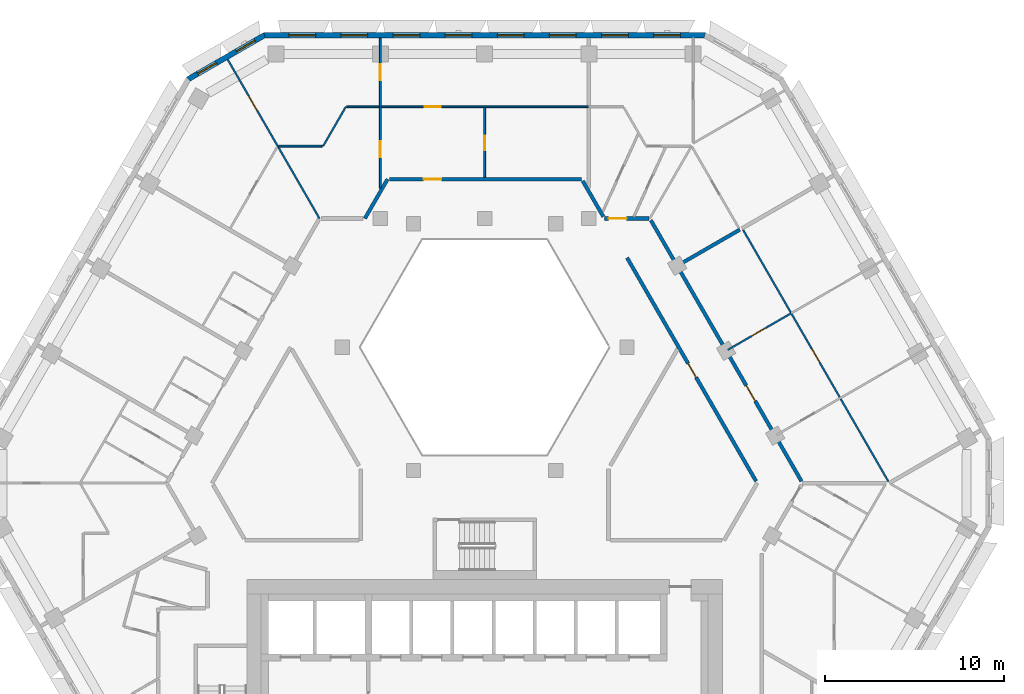
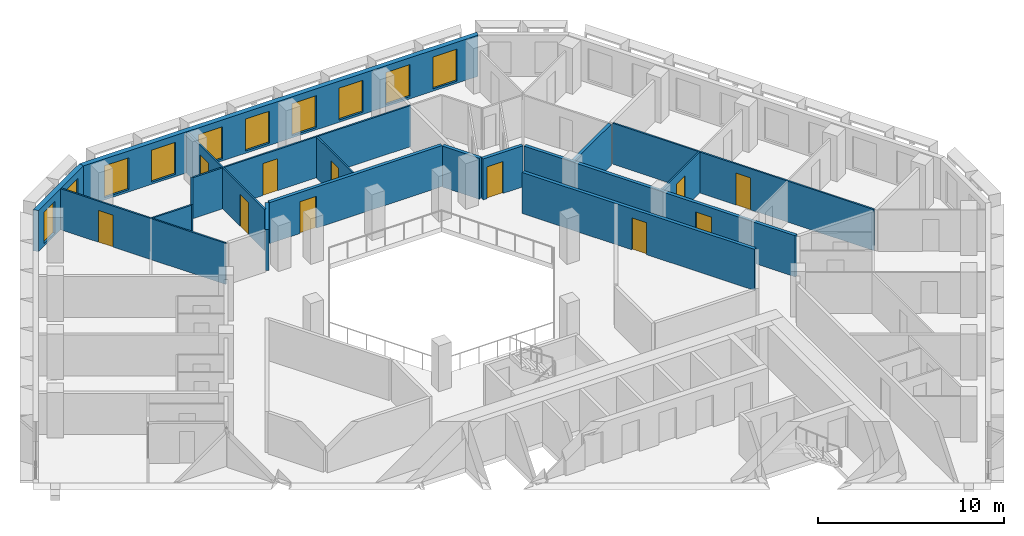
# One storey, part 8 of 17: 18 walls, 11 doors, 10 windows, 21 openings.
"""IFC4 building model written with IfcOpenShell, lengths in metres."""

from ifc_helpers import new_model, si_unit, direction, frame, frame_2d, origin, place, context, subcontext, project, spatial, polyline, rectangle, outline, extrude, material, layer, layer_set, type_object, element, fill, save


model = new_model("IFC4")

# Units and contexts
model_context = context("Model", 3, precision=1e-05, world=origin(), true_north=direction((0.0, 1.0)))
body_context = subcontext(model_context, "Body", "Model", "MODEL_VIEW")
ifc_project = project(units=[si_unit("LENGTHUNIT", "METRE"), si_unit("AREAUNIT", "SQUARE_METRE"), si_unit("VOLUMEUNIT", "CUBIC_METRE"), si_unit("PLANEANGLEUNIT", "RADIAN"), si_unit("MASSUNIT", "GRAM", prefix="KILO")], contexts=[model_context])

# Site, building, storey
site_placement = place(None, origin())
site = spatial("IfcSite", under=ifc_project, at=site_placement, CompositionType="ELEMENT")
building_placement = place(site_placement, origin())
building = spatial("IfcBuilding", under=site, at=building_placement, Name="Beryl Residences", CompositionType="ELEMENT")
storey_placement = place(building_placement, frame((0.0, 0.0, 126.60009765625)))
storey = spatial("IfcBuildingStorey", under=building, at=storey_placement, Name="L38", CompositionType="ELEMENT", Elevation=126.60009765625)

# Wall, openings, windows
ifc_material_1 = material(Name="Composite metal panel with mineral wool insulation")
ifc_layer_1 = layer(ifc_material_1, 0.300048828125)
ifc_layer_set_1 = layer_set([ifc_layer_1], Name="ES1 pale metal composite panel wall 300 mm")
wall_type_1 = type_object("IfcWallType", Name="ES1 pale metal composite panel wall 300 mm", PredefinedType="SOLIDWALL", material=ifc_layer_set_1)
wall_1_placement = place(storey_placement, frame((12.35498046875, 25.449951171875, 0.0), z_axis=(0.0, 0.0, 1.0), x_axis=(-1.0, 0.0, 0.0)))
wall_1 = element("IfcWall", 1, at=wall_1_placement, inside=storey, type_object=wall_type_1, Name="ES1 external wall L38 N", PredefinedType="SOLIDWALL", context=body_context, shape_type="SweptSolid", body=[
    extrude(outline(polyline([(0.0, -0.14990234375), (24.7099609375, -0.14990234375), (24.629638671875, 0.14990234375), (0.080322265625, 0.14990234375), (0.0, -0.14990234375)])), origin(), (0.0, 0.0, 1.0), 2.699951171875),
])
opening_1_placement = place(wall_1_placement, frame((1.40087890625, 0.0, 0.14990234375)))
opening_1 = element("IfcOpeningElement", 2, at=opening_1_placement, cuts=wall_1, Name="Opening W1", PredefinedType="OPENING", context=body_context, shape_type="SweptSolid", body=[
    extrude(rectangle(XDim=1.5, YDim=2.10009765625, at=frame_2d((0.75, 1.050048828125))), frame((0.0, 0.159912109375, 0.0), z_axis=(0.0, -1.0, 0.0), x_axis=(1.0, 0.0, 0.0)), (0.0, 0.0, 1.0), 0.320068359375),
])
opening_2_placement = place(wall_1_placement, frame((4.31591796875, 0.0, 0.14990234375)))
opening_2 = element("IfcOpeningElement", 3, at=opening_2_placement, cuts=wall_1, Name="Opening W1", PredefinedType="OPENING", context=body_context, shape_type="SweptSolid", body=[
    extrude(rectangle(XDim=1.5, YDim=2.10009765625, at=frame_2d((0.75, 1.050048828125))), frame((0.0, 0.159912109375, 0.0), z_axis=(0.0, -1.0, 0.0), x_axis=(1.0, 0.0, 0.0)), (0.0, 0.0, 1.0), 0.320068359375),
])
opening_3_placement = place(wall_1_placement, frame((7.23193359375, 0.0, 0.14990234375)))
opening_3 = element("IfcOpeningElement", 4, at=opening_3_placement, cuts=wall_1, Name="Opening W1", PredefinedType="OPENING", context=body_context, shape_type="SweptSolid", body=[
    extrude(rectangle(XDim=1.5, YDim=2.10009765625, at=frame_2d((0.75, 1.050048828125))), frame((0.0, 0.159912109375, 0.0), z_axis=(0.0, -1.0, 0.0), x_axis=(1.0, 0.0, 0.0)), (0.0, 0.0, 1.0), 0.320068359375),
])
opening_4_placement = place(wall_1_placement, frame((10.14697265625, 0.0, 0.14990234375)))
opening_4 = element("IfcOpeningElement", 5, at=opening_4_placement, cuts=wall_1, Name="Opening W1", PredefinedType="OPENING", context=body_context, shape_type="SweptSolid", body=[
    extrude(rectangle(XDim=1.5, YDim=2.10009765625, at=frame_2d((0.75, 1.050048828125))), frame((0.0, 0.159912109375, 0.0), z_axis=(0.0, -1.0, 0.0), x_axis=(1.0, 0.0, 0.0)), (0.0, 0.0, 1.0), 0.320068359375),
])
opening_5_placement = place(wall_1_placement, frame((13.06298828125, 0.0, 0.14990234375)))
opening_5 = element("IfcOpeningElement", 6, at=opening_5_placement, cuts=wall_1, Name="Opening W1", PredefinedType="OPENING", context=body_context, shape_type="SweptSolid", body=[
    extrude(rectangle(XDim=1.5, YDim=2.10009765625, at=frame_2d((0.75, 1.050048828125))), frame((0.0, 0.159912109375, 0.0), z_axis=(0.0, -1.0, 0.0), x_axis=(1.0, 0.0, 0.0)), (0.0, 0.0, 1.0), 0.320068359375),
])
opening_6_placement = place(wall_1_placement, frame((15.97802734375, 0.0, 0.14990234375)))
opening_6 = element("IfcOpeningElement", 7, at=opening_6_placement, cuts=wall_1, Name="Opening W1", PredefinedType="OPENING", context=body_context, shape_type="SweptSolid", body=[
    extrude(rectangle(XDim=1.5, YDim=2.10009765625, at=frame_2d((0.75, 1.050048828125))), frame((0.0, 0.159912109375, 0.0), z_axis=(0.0, -1.0, 0.0), x_axis=(1.0, 0.0, 0.0)), (0.0, 0.0, 1.0), 0.320068359375),
])
opening_7_placement = place(wall_1_placement, frame((18.89404296875, 0.0, 0.14990234375)))
opening_7 = element("IfcOpeningElement", 8, at=opening_7_placement, cuts=wall_1, Name="Opening W1", PredefinedType="OPENING", context=body_context, shape_type="SweptSolid", body=[
    extrude(rectangle(XDim=1.5, YDim=2.10009765625, at=frame_2d((0.75, 1.050048828125))), frame((0.0, 0.159912109375, 0.0), z_axis=(0.0, -1.0, 0.0), x_axis=(1.0, 0.0, 0.0)), (0.0, 0.0, 1.0), 0.320068359375),
])
opening_8_placement = place(wall_1_placement, frame((21.80908203125, 0.0, 0.14990234375)))
opening_8 = element("IfcOpeningElement", 9, at=opening_8_placement, cuts=wall_1, Name="Opening W1", PredefinedType="OPENING", context=body_context, shape_type="SweptSolid", body=[
    extrude(rectangle(XDim=1.5, YDim=2.10009765625, at=frame_2d((0.75, 1.050048828125))), frame((0.0, 0.159912109375, 0.0), z_axis=(0.0, -1.0, 0.0), x_axis=(1.0, 0.0, 0.0)), (0.0, 0.0, 1.0), 0.320068359375),
])
ifc_material_2 = material(Name="Aluminium and clear glass", Category="aluminium")
window_type_1 = type_object("IfcWindowType", Name="W1 cell window 1500 x 2100 mm", PartitioningType="SINGLE_PANEL", PredefinedType="WINDOW", material=ifc_material_2)
window_1_placement = place(opening_1_placement, origin())
window_1 = element("IfcWindow", 10, at=window_1_placement, inside=storey, type_object=window_type_1, Name="W1 window L38 N 1", OverallHeight=2.10009765625, OverallWidth=1.5, PartitioningType="SINGLE_PANEL", PredefinedType="WINDOW", context=body_context, shape_type="SweptSolid", body=[
    extrude(rectangle(XDim=1.5, YDim=2.10009765625, at=frame_2d((0.75, 1.050048828125))), frame((0.0, 0.030029296875, 0.0), z_axis=(0.0, -1.0, 0.0), x_axis=(1.0, 0.0, 0.0)), (0.0, 0.0, 1.0), 0.06005859375),
])
fill(opening_1, window_1)
window_2_placement = place(opening_2_placement, origin())
window_2 = element("IfcWindow", 11, at=window_2_placement, inside=storey, type_object=window_type_1, Name="W1 window L38 N 2", OverallHeight=2.10009765625, OverallWidth=1.5, PartitioningType="SINGLE_PANEL", PredefinedType="WINDOW", context=body_context, shape_type="SweptSolid", body=[
    extrude(rectangle(XDim=1.5, YDim=2.10009765625, at=frame_2d((0.75, 1.050048828125))), frame((0.0, 0.030029296875, 0.0), z_axis=(0.0, -1.0, 0.0), x_axis=(1.0, 0.0, 0.0)), (0.0, 0.0, 1.0), 0.06005859375),
])
fill(opening_2, window_2)
window_3_placement = place(opening_3_placement, origin())
window_3 = element("IfcWindow", 12, at=window_3_placement, inside=storey, type_object=window_type_1, Name="W1 window L38 N 3", OverallHeight=2.10009765625, OverallWidth=1.5, PartitioningType="SINGLE_PANEL", PredefinedType="WINDOW", context=body_context, shape_type="SweptSolid", body=[
    extrude(rectangle(XDim=1.5, YDim=2.10009765625, at=frame_2d((0.75, 1.050048828125))), frame((0.0, 0.030029296875, 0.0), z_axis=(0.0, -1.0, 0.0), x_axis=(1.0, 0.0, 0.0)), (0.0, 0.0, 1.0), 0.06005859375),
])
fill(opening_3, window_3)
window_4_placement = place(opening_4_placement, origin())
window_4 = element("IfcWindow", 13, at=window_4_placement, inside=storey, type_object=window_type_1, Name="W1 window L38 N 4", OverallHeight=2.10009765625, OverallWidth=1.5, PartitioningType="SINGLE_PANEL", PredefinedType="WINDOW", context=body_context, shape_type="SweptSolid", body=[
    extrude(rectangle(XDim=1.5, YDim=2.10009765625, at=frame_2d((0.75, 1.050048828125))), frame((0.0, 0.030029296875, 0.0), z_axis=(0.0, -1.0, 0.0), x_axis=(1.0, 0.0, 0.0)), (0.0, 0.0, 1.0), 0.06005859375),
])
fill(opening_4, window_4)
window_5_placement = place(opening_5_placement, origin())
window_5 = element("IfcWindow", 14, at=window_5_placement, inside=storey, type_object=window_type_1, Name="W1 window L38 N 5", OverallHeight=2.10009765625, OverallWidth=1.5, PartitioningType="SINGLE_PANEL", PredefinedType="WINDOW", context=body_context, shape_type="SweptSolid", body=[
    extrude(rectangle(XDim=1.5, YDim=2.10009765625, at=frame_2d((0.75, 1.050048828125))), frame((0.0, 0.030029296875, 0.0), z_axis=(0.0, -1.0, 0.0), x_axis=(1.0, 0.0, 0.0)), (0.0, 0.0, 1.0), 0.06005859375),
])
fill(opening_5, window_5)
window_6_placement = place(opening_6_placement, origin())
window_6 = element("IfcWindow", 15, at=window_6_placement, inside=storey, type_object=window_type_1, Name="W1 window L38 N 6", OverallHeight=2.10009765625, OverallWidth=1.5, PartitioningType="SINGLE_PANEL", PredefinedType="WINDOW", context=body_context, shape_type="SweptSolid", body=[
    extrude(rectangle(XDim=1.5, YDim=2.10009765625, at=frame_2d((0.75, 1.050048828125))), frame((0.0, 0.030029296875, 0.0), z_axis=(0.0, -1.0, 0.0), x_axis=(1.0, 0.0, 0.0)), (0.0, 0.0, 1.0), 0.06005859375),
])
fill(opening_6, window_6)
window_7_placement = place(opening_7_placement, origin())
window_7 = element("IfcWindow", 16, at=window_7_placement, inside=storey, type_object=window_type_1, Name="W1 window L38 N 7", OverallHeight=2.10009765625, OverallWidth=1.5, PartitioningType="SINGLE_PANEL", PredefinedType="WINDOW", context=body_context, shape_type="SweptSolid", body=[
    extrude(rectangle(XDim=1.5, YDim=2.10009765625, at=frame_2d((0.75, 1.050048828125))), frame((0.0, 0.030029296875, 0.0), z_axis=(0.0, -1.0, 0.0), x_axis=(1.0, 0.0, 0.0)), (0.0, 0.0, 1.0), 0.06005859375),
])
fill(opening_7, window_7)
window_8_placement = place(opening_8_placement, origin())
window_8 = element("IfcWindow", 17, at=window_8_placement, inside=storey, type_object=window_type_1, Name="W1 window L38 N 8", OverallHeight=2.10009765625, OverallWidth=1.5, PartitioningType="SINGLE_PANEL", PredefinedType="WINDOW", context=body_context, shape_type="SweptSolid", body=[
    extrude(rectangle(XDim=1.5, YDim=2.10009765625, at=frame_2d((0.75, 1.050048828125))), frame((0.0, 0.030029296875, 0.0), z_axis=(0.0, -1.0, 0.0), x_axis=(1.0, 0.0, 0.0)), (0.0, 0.0, 1.0), 0.06005859375),
])
fill(opening_8, window_8)

wall_2_placement = place(storey_placement, frame((-12.280029296875, 25.469970703125, 0.0), z_axis=(0.0, 0.0, 1.0), x_axis=(-0.866022959057, -0.500004234368, 0.0)))
wall_2 = element("IfcWall", 18, at=wall_2_placement, inside=storey, type_object=wall_type_1, Name="ES1 external wall L38 N-NW", PredefinedType="SOLIDWALL", context=body_context, shape_type="SweptSolid", body=[
    extrude(outline(polyline([(0.0, -0.14990234375), (5.0, -0.14990234375), (4.919677734375, 0.14990234375), (0.080322265625, 0.14990234375), (0.0, -0.14990234375)])), origin(), (0.0, 0.0, 1.0), 2.699951171875),
])
opening_9_placement = place(wall_2_placement, frame((0.64990234375, 0.0, 0.14990234375)))
opening_9 = element("IfcOpeningElement", 19, at=opening_9_placement, cuts=wall_2, Name="Opening W2", PredefinedType="OPENING", context=body_context, shape_type="SweptSolid", body=[
    extrude(rectangle(XDim=1.199951171875, YDim=2.10009765625, at=frame_2d((0.60009765625, 1.050048828125))), frame((0.0, 0.159912109375, 0.0), z_axis=(0.0, -1.0, 0.0), x_axis=(1.0, 0.0, 0.0)), (0.0, 0.0, 1.0), 0.320068359375),
])
opening_10_placement = place(wall_2_placement, frame((3.14892578125, 0.0, 0.14990234375)))
opening_10 = element("IfcOpeningElement", 20, at=opening_10_placement, cuts=wall_2, Name="Opening W2", PredefinedType="OPENING", context=body_context, shape_type="SweptSolid", body=[
    extrude(rectangle(XDim=1.199951171875, YDim=2.10009765625, at=frame_2d((0.60009765625, 1.050048828125))), frame((0.0, 0.159912109375, 0.0), z_axis=(0.0, -1.0, 0.0), x_axis=(1.0, 0.0, 0.0)), (0.0, 0.0, 1.0), 0.320068359375),
])
ifc_material_3 = material(Name="Aluminium and clear glass", Category="aluminium")
window_type_2 = type_object("IfcWindowType", Name="W2 chamfer window 1200 x 2100 mm", PartitioningType="SINGLE_PANEL", PredefinedType="WINDOW", material=ifc_material_3)
window_9_placement = place(opening_9_placement, origin())
window_9 = element("IfcWindow", 21, at=window_9_placement, inside=storey, type_object=window_type_2, Name="W2 window L38 N-NW 1", OverallHeight=2.10009765625, OverallWidth=1.199951171875, PartitioningType="SINGLE_PANEL", PredefinedType="WINDOW", context=body_context, shape_type="SweptSolid", body=[
    extrude(rectangle(XDim=1.199951171875, YDim=2.10009765625, at=frame_2d((0.60009765625, 1.050048828125))), frame((0.0, 0.030029296875, 0.0), z_axis=(0.0, -1.0, 0.0), x_axis=(1.0, 0.0, 0.0)), (0.0, 0.0, 1.0), 0.06005859375),
])
fill(opening_9, window_9)
window_10_placement = place(opening_10_placement, origin())
window_10 = element("IfcWindow", 22, at=window_10_placement, inside=storey, type_object=window_type_2, Name="W2 window L38 N-NW 2", OverallHeight=2.10009765625, OverallWidth=1.199951171875, PartitioningType="SINGLE_PANEL", PredefinedType="WINDOW", context=body_context, shape_type="SweptSolid", body=[
    extrude(rectangle(XDim=1.199951171875, YDim=2.10009765625, at=frame_2d((0.60009765625, 1.050048828125))), frame((0.0, 0.030029296875, 0.0), z_axis=(0.0, -1.0, 0.0), x_axis=(1.0, 0.0, 0.0)), (0.0, 0.0, 1.0), 0.06005859375),
])
fill(opening_10, window_10)

# Wall, opening, door
ifc_material_4 = material(Name="Gypsum board partition on steel studs", Category="steel")
ifc_layer_2 = layer(ifc_material_4, 0.10009765625)
ifc_layer_set_2 = layer_set([ifc_layer_2], Name="PT1 partition 100 mm gypsum board on steel studs")
wall_type_2 = type_object("IfcWallType", Name="PT1 partition 100 mm gypsum board on steel studs", PredefinedType="PARTITIONING", material=ifc_layer_set_2)
wall_3_placement = place(storey_placement, frame((-14.3701171875, 24.090087890625, 0.0), z_axis=(0.0, 0.0, 1.0), x_axis=(0.50002438799, -0.866011322914, 0.0)))
wall_3 = element("IfcWall", 23, at=wall_3_placement, inside=storey, type_object=wall_type_2, Name="Wall PT1 L38 001", PredefinedType="PARTITIONING", context=body_context, shape_type="SweptSolid", body=[
    extrude(rectangle(XDim=10.265625, YDim=0.10009765625, at=frame_2d((5.1328125, 0.0))), origin(), (0.0, 0.0, 1.0), 2.699951171875),
])
opening_11_placement = place(wall_3_placement, frame((2.346923828125, 0.0, 0.0)))
opening_11 = element("IfcOpeningElement", 24, at=opening_11_placement, cuts=wall_3, Name="Opening D1013", PredefinedType="OPENING", context=body_context, shape_type="SweptSolid", body=[
    extrude(rectangle(XDim=0.89990234375, YDim=2.10009765625, at=frame_2d((0.449951171875, 1.050048828125))), frame((0.0, 0.06005859375, 0.0), z_axis=(0.0, -1.0, 0.0), x_axis=(1.0, 0.0, 0.0)), (0.0, 0.0, 1.0), 0.1201171875),
])
ifc_material_5 = material(Name="Timber door leaf", Category="wood")
door_type_1 = type_object("IfcDoorType", Name="D2 room door 900 x 2100 mm", OperationType="SINGLE_SWING_LEFT", PredefinedType="DOOR", material=ifc_material_5)
door_1_placement = place(opening_11_placement, origin())
door_1 = element("IfcDoor", 25, at=door_1_placement, inside=storey, type_object=door_type_1, Name="Door D1013 L38 001", OperationType="SINGLE_SWING_LEFT", OverallHeight=2.10009765625, OverallWidth=0.89990234375, PredefinedType="DOOR", context=body_context, shape_type="SweptSolid", body=[
    extrude(rectangle(XDim=0.89990234375, YDim=2.10009765625, at=frame_2d((0.449951171875, 1.050048828125))), frame((0.0, 0.02490234375, 0.0), z_axis=(0.0, -1.0, 0.0), x_axis=(1.0, 0.0, 0.0)), (0.0, 0.0, 1.0), 0.050048828125),
])
fill(opening_11, door_1)

wall_4_placement = place(storey_placement, frame((14.455078125, 14.56298828125, 0.0), z_axis=(0.0, 0.0, 1.0), x_axis=(0.500009803579, -0.866019743612, 0.0)))
wall_4 = element("IfcWall", 26, at=wall_4_placement, inside=storey, type_object=wall_type_2, Name="Wall PT1 L38 005", PredefinedType="PARTITIONING", context=body_context, shape_type="SweptSolid", body=[
    extrude(rectangle(XDim=16.253662109375, YDim=0.10009765625, at=frame_2d((8.126953125, 0.0))), origin(), (0.0, 0.0, 1.0), 2.699951171875),
])
opening_12_placement = place(wall_4_placement, frame((7.677001953125, 0.0, 0.0)))
opening_12 = element("IfcOpeningElement", 27, at=opening_12_placement, cuts=wall_4, Name="Opening D1050", PredefinedType="OPENING", context=body_context, shape_type="SweptSolid", body=[
    extrude(rectangle(XDim=0.89990234375, YDim=2.10009765625, at=frame_2d((0.449951171875, 1.050048828125))), frame((0.0, 0.06005859375, 0.0), z_axis=(0.0, -1.0, 0.0), x_axis=(1.0, 0.0, 0.0)), (0.0, 0.0, 1.0), 0.1201171875),
])
door_2_placement = place(opening_12_placement, origin())
door_2 = element("IfcDoor", 28, at=door_2_placement, inside=storey, type_object=door_type_1, Name="Door D1050 L38 001", OperationType="SINGLE_SWING_RIGHT", OverallHeight=2.10009765625, OverallWidth=0.89990234375, PredefinedType="DOOR", context=body_context, shape_type="SweptSolid", body=[
    extrude(rectangle(XDim=0.89990234375, YDim=2.10009765625, at=frame_2d((0.449951171875, 1.050048828125))), frame((0.0, 0.02490234375, 0.0), z_axis=(0.0, -1.0, 0.0), x_axis=(1.0, 0.0, 0.0)), (0.0, 0.0, 1.0), 0.050048828125),
])
fill(opening_12, door_2)

# Wall
wall_5_placement = place(storey_placement, frame((-11.51611328125, 19.24609375, 0.0), z_axis=(0.0, 0.0, 1.0), x_axis=(1.0, 0.0, 0.0)))
element("IfcWall", 29, at=wall_5_placement, inside=storey, type_object=wall_type_2, Name="Wall PT1 L38 027", PredefinedType="PARTITIONING", context=body_context, shape_type="SweptSolid", body=[
    extrude(rectangle(XDim=2.425048828125, YDim=0.10009765625, at=frame_2d((1.21240234375, 0.0))), origin(), (0.0, 0.0, 1.0), 2.699951171875),
])

# Wall, opening, door
wall_6_placement = place(storey_placement, frame((-7.7060546875, 21.446044921875, 0.0), z_axis=(0.0, 0.0, 1.0), x_axis=(1.0, 0.0, 0.0)))
wall_6 = element("IfcWall", 30, at=wall_6_placement, inside=storey, type_object=wall_type_2, Name="Wall PT1 L38 029", PredefinedType="PARTITIONING", context=body_context, shape_type="SweptSolid", body=[
    extrude(rectangle(XDim=13.537109375, YDim=0.10009765625, at=frame_2d((6.7685546875, 0.0))), origin(), (0.0, 0.0, 1.0), 2.699951171875),
])
opening_13_placement = place(wall_6_placement, frame((4.35009765625, 0.0, 0.0)))
opening_13 = element("IfcOpeningElement", 31, at=opening_13_placement, cuts=wall_6, Name="Opening D1009", PredefinedType="OPENING", context=body_context, shape_type="SweptSolid", body=[
    extrude(rectangle(XDim=0.89990234375, YDim=2.10009765625, at=frame_2d((0.449951171875, 1.050048828125))), frame((0.0, 0.06005859375, 0.0), z_axis=(0.0, -1.0, 0.0), x_axis=(1.0, 0.0, 0.0)), (0.0, 0.0, 1.0), 0.1201171875),
])
door_3_placement = place(opening_13_placement, origin())
door_3 = element("IfcDoor", 32, at=door_3_placement, inside=storey, type_object=door_type_1, Name="Door D1009 L38 001", OperationType="SINGLE_SWING_LEFT", OverallHeight=2.10009765625, OverallWidth=0.89990234375, PredefinedType="DOOR", context=body_context, shape_type="SweptSolid", body=[
    extrude(rectangle(XDim=0.89990234375, YDim=2.10009765625, at=frame_2d((0.449951171875, 1.050048828125))), frame((0.0, 0.02490234375, 0.0), z_axis=(0.0, -1.0, 0.0), x_axis=(1.0, 0.0, 0.0)), (0.0, 0.0, 1.0), 0.050048828125),
])
fill(opening_13, door_3)

# Wall
wall_7_placement = place(storey_placement, frame((-9.032958984375, 19.24609375, 0.0), z_axis=(0.0, 0.0, 1.0), x_axis=(0.499963722229, 0.866046347752, 0.0)))
element("IfcWall", 33, at=wall_7_placement, inside=storey, type_object=wall_type_2, Name="Wall PT1 L38 032", PredefinedType="PARTITIONING", context=body_context, shape_type="SweptSolid", body=[
    extrude(rectangle(XDim=2.540283203125, YDim=0.10009765625, at=frame_2d((1.27001953125, 0.0))), origin(), (0.0, 0.0, 1.0), 2.699951171875),
])

# Wall, opening, door
wall_8_placement = place(storey_placement, frame((0.0, 17.5, 0.0), z_axis=(0.0, 0.0, 1.0), x_axis=(0.0, 1.0, 0.0)))
wall_8 = element("IfcWall", 34, at=wall_8_placement, inside=storey, type_object=wall_type_2, Name="Wall PT1 L38 044", PredefinedType="PARTITIONING", context=body_context, shape_type="SweptSolid", body=[
    extrude(rectangle(XDim=3.89599609375, YDim=0.10009765625, at=frame_2d((1.947998046875, 0.0))), origin(), (0.0, 0.0, 1.0), 2.699951171875),
])
opening_14_placement = place(wall_8_placement, frame((1.52294921875, 0.0, 0.0)))
opening_14 = element("IfcOpeningElement", 35, at=opening_14_placement, cuts=wall_8, Name="Opening D1011", PredefinedType="OPENING", context=body_context, shape_type="SweptSolid", body=[
    extrude(rectangle(XDim=0.800048828125, YDim=2.10009765625, at=frame_2d((0.39990234375, 1.050048828125))), frame((0.0, 0.06005859375, 0.0), z_axis=(0.0, -1.0, 0.0), x_axis=(1.0, 0.0, 0.0)), (0.0, 0.0, 1.0), 0.1201171875),
])
ifc_material_6 = material(Name="Timber door leaf", Category="wood")
door_type_2 = type_object("IfcDoorType", Name="D3 bathroom door 800 x 2100 mm", OperationType="SINGLE_SWING_LEFT", PredefinedType="DOOR", material=ifc_material_6)
door_4_placement = place(opening_14_placement, origin())
door_4 = element("IfcDoor", 36, at=door_4_placement, inside=storey, type_object=door_type_2, Name="Door D1011 L38 001", OperationType="SINGLE_SWING_LEFT", OverallHeight=2.10009765625, OverallWidth=0.800048828125, PredefinedType="DOOR", context=body_context, shape_type="SweptSolid", body=[
    extrude(rectangle(XDim=0.800048828125, YDim=2.10009765625, at=frame_2d((0.39990234375, 1.050048828125))), frame((0.0, 0.02490234375, 0.0), z_axis=(0.0, -1.0, 0.0), x_axis=(1.0, 0.0, 0.0)), (0.0, 0.0, 1.0), 0.050048828125),
])
fill(opening_14, door_4)

wall_9_placement = place(storey_placement, frame((-5.8310546875, 16.89990234375, 0.0), z_axis=(0.0, 0.0, 1.0), x_axis=(0.0, 1.0, 0.0)))
wall_9 = element("IfcWall", 37, at=wall_9_placement, inside=storey, type_object=wall_type_2, Name="Wall PT1 L38 046", PredefinedType="PARTITIONING", context=body_context, shape_type="SweptSolid", body=[
    extrude(rectangle(XDim=4.546142578125, YDim=0.10009765625, at=frame_2d((2.27294921875, 0.0))), origin(), (0.0, 0.0, 1.0), 2.699951171875),
])
opening_15_placement = place(wall_9_placement, frame((1.722900390625, 0.0, 0.0)))
opening_15 = element("IfcOpeningElement", 38, at=opening_15_placement, cuts=wall_9, Name="Opening D1010", PredefinedType="OPENING", context=body_context, shape_type="SweptSolid", body=[
    extrude(rectangle(XDim=0.89990234375, YDim=2.10009765625, at=frame_2d((0.449951171875, 1.050048828125))), frame((0.0, 0.06005859375, 0.0), z_axis=(0.0, -1.0, 0.0), x_axis=(1.0, 0.0, 0.0)), (0.0, 0.0, 1.0), 0.1201171875),
])
door_5_placement = place(opening_15_placement, origin())
door_5 = element("IfcDoor", 39, at=door_5_placement, inside=storey, type_object=door_type_1, Name="Door D1010 L38 001", OperationType="SINGLE_SWING_RIGHT", OverallHeight=2.10009765625, OverallWidth=0.89990234375, PredefinedType="DOOR", context=body_context, shape_type="SweptSolid", body=[
    extrude(rectangle(XDim=0.89990234375, YDim=2.10009765625, at=frame_2d((0.449951171875, 1.050048828125))), frame((0.0, 0.02490234375, 0.0), z_axis=(0.0, -1.0, 0.0), x_axis=(1.0, 0.0, 0.0)), (0.0, 0.0, 1.0), 0.050048828125),
])
fill(opening_15, door_5)

wall_10_placement = place(storey_placement, frame((13.596923828125, 7.85009765625, 0.0), z_axis=(0.0, 0.0, 1.0), x_axis=(0.866006068523, 0.500033488159, 0.0)))
wall_10 = element("IfcWall", 40, at=wall_10_placement, inside=storey, type_object=wall_type_2, Name="Wall PT1 L38 052", PredefinedType="PARTITIONING", context=body_context, shape_type="SweptSolid", body=[
    extrude(rectangle(XDim=4.099365234375, YDim=0.10009765625, at=frame_2d((2.0498046875, 0.0))), origin(), (0.0, 0.0, 1.0), 2.699951171875),
])
opening_16_placement = place(wall_10_placement, frame((1.550048828125, 0.0, 0.0)))
opening_16 = element("IfcOpeningElement", 41, at=opening_16_placement, cuts=wall_10, Name="Opening D1052", PredefinedType="OPENING", context=body_context, shape_type="SweptSolid", body=[
    extrude(rectangle(XDim=0.89990234375, YDim=2.10009765625, at=frame_2d((0.449951171875, 1.050048828125))), frame((0.0, 0.06005859375, 0.0), z_axis=(0.0, -1.0, 0.0), x_axis=(1.0, 0.0, 0.0)), (0.0, 0.0, 1.0), 0.1201171875),
])
door_6_placement = place(opening_16_placement, origin())
door_6 = element("IfcDoor", 42, at=door_6_placement, inside=storey, type_object=door_type_1, Name="Door D1052 L38 001", OperationType="SINGLE_SWING_RIGHT", OverallHeight=2.10009765625, OverallWidth=0.89990234375, PredefinedType="DOOR", context=body_context, shape_type="SweptSolid", body=[
    extrude(rectangle(XDim=0.89990234375, YDim=2.10009765625, at=frame_2d((0.449951171875, 1.050048828125))), frame((0.0, 0.02490234375, 0.0), z_axis=(0.0, -1.0, 0.0), x_axis=(1.0, 0.0, 0.0)), (0.0, 0.0, 1.0), 0.050048828125),
])
fill(opening_16, door_6)

wall_11_placement = place(storey_placement, frame((-5.8310546875, 21.446044921875, 0.0), z_axis=(0.0, 0.0, 1.0), x_axis=(0.0, 1.0, 0.0)))
wall_11 = element("IfcWall", 43, at=wall_11_placement, inside=storey, type_object=wall_type_2, Name="Wall PT1 L38 056", PredefinedType="PARTITIONING", context=body_context, shape_type="SweptSolid", body=[
    extrude(rectangle(XDim=3.85400390625, YDim=0.10009765625, at=frame_2d((1.927001953125, 0.0))), origin(), (0.0, 0.0, 1.0), 2.699951171875),
])
opening_17_placement = place(wall_11_placement, frame((1.47705078125, 0.0, 0.0)))
opening_17 = element("IfcOpeningElement", 44, at=opening_17_placement, cuts=wall_11, Name="Opening D1012", PredefinedType="OPENING", context=body_context, shape_type="SweptSolid", body=[
    extrude(rectangle(XDim=0.89990234375, YDim=2.10009765625, at=frame_2d((0.449951171875, 1.050048828125))), frame((0.0, 0.06005859375, 0.0), z_axis=(0.0, -1.0, 0.0), x_axis=(1.0, 0.0, 0.0)), (0.0, 0.0, 1.0), 0.1201171875),
])
door_7_placement = place(opening_17_placement, origin())
door_7 = element("IfcDoor", 45, at=door_7_placement, inside=storey, type_object=door_type_1, Name="Door D1012 L38 001", OperationType="SINGLE_SWING_RIGHT", OverallHeight=2.10009765625, OverallWidth=0.89990234375, PredefinedType="DOOR", context=body_context, shape_type="SweptSolid", body=[
    extrude(rectangle(XDim=0.89990234375, YDim=2.10009765625, at=frame_2d((0.449951171875, 1.050048828125))), frame((0.0, 0.02490234375, 0.0), z_axis=(0.0, -1.0, 0.0), x_axis=(1.0, 0.0, 0.0)), (0.0, 0.0, 1.0), 0.050048828125),
])
fill(opening_17, door_7)

# Walls
ifc_material_7 = material(Name="Acoustic double stud gypsum board wall")
ifc_layer_3 = layer(ifc_material_7, 0.199951171875)
ifc_layer_set_3 = layer_set([ifc_layer_3], Name="PT3 party wall 200 mm acoustic double stud")
wall_type_3 = type_object("IfcWallType", Name="PT3 party wall 200 mm acoustic double stud", PredefinedType="PARTITIONING", material=ifc_layer_set_3)
wall_12_placement = place(storey_placement, frame((10.85400390625, 12.60009765625, 0.0), z_axis=(0.0, 0.0, 1.0), x_axis=(0.866076396086, 0.499911668341, 0.0)))
element("IfcWall", 46, at=wall_12_placement, inside=storey, type_object=wall_type_3, Name="Wall PT3 L38 011", PredefinedType="PARTITIONING", context=body_context, shape_type="SweptSolid", body=[
    extrude(rectangle(XDim=3.946533203125, YDim=0.199951171875, at=frame_2d((1.97314453125, 0.0))), origin(), (0.0, 0.0, 1.0), 2.699951171875),
])
ifc_material_8 = material(Name="Double stud gypsum board wall")
ifc_layer_4 = layer(ifc_material_8, 0.199951171875)
ifc_layer_set_4 = layer_set([ifc_layer_4], Name="PT4 corridor wall 200 mm double stud")
wall_type_4 = type_object("IfcWallType", Name="PT4 corridor wall 200 mm double stud", PredefinedType="PARTITIONING", material=ifc_layer_set_4)
wall_13_placement = place(storey_placement, frame((5.485107421875, 17.300048828125, 0.0), z_axis=(0.0, 0.0, 1.0), x_axis=(0.500027479704, -0.866009537788, 0.0)))
element("IfcWall", 47, at=wall_13_placement, inside=storey, type_object=wall_type_4, Name="Wall PT4 L38 004", PredefinedType="PARTITIONING", context=body_context, shape_type="SweptSolid", body=[
    extrude(rectangle(XDim=2.309326171875, YDim=0.199951171875, at=frame_2d((1.15478515625, 0.0))), origin(), (0.0, 0.0, 1.0), 2.699951171875),
])

# Wall, opening, door
wall_14_placement = place(storey_placement, frame((7.967041015625, 13.0, 0.0), z_axis=(0.0, 0.0, 1.0), x_axis=(0.50003774998, -0.866003607726, 0.0)))
wall_14 = element("IfcWall", 48, at=wall_14_placement, inside=storey, type_object=wall_type_4, Name="Wall PT4 L38 005", PredefinedType="PARTITIONING", context=body_context, shape_type="SweptSolid", body=[
    extrude(rectangle(XDim=14.43310546875, YDim=0.199951171875, at=frame_2d((7.216552734375, 0.0))), origin(), (0.0, 0.0, 1.0), 2.699951171875),
])
opening_18_placement = place(wall_14_placement, frame((6.823974609375, 0.0, 0.0)))
opening_18 = element("IfcOpeningElement", 49, at=opening_18_placement, cuts=wall_14, Name="Opening D1056", PredefinedType="OPENING", context=body_context, shape_type="SweptSolid", body=[
    extrude(rectangle(XDim=0.89990234375, YDim=2.10009765625, at=frame_2d((0.449951171875, 1.050048828125))), frame((0.0, 0.10986328125, 0.0), z_axis=(0.0, -1.0, 0.0), x_axis=(1.0, 0.0, 0.0)), (0.0, 0.0, 1.0), 0.219970703125),
])
door_8_placement = place(opening_18_placement, origin())
door_8 = element("IfcDoor", 50, at=door_8_placement, inside=storey, type_object=door_type_1, Name="Door D1056 L38 001", OperationType="SINGLE_SWING_RIGHT", OverallHeight=2.10009765625, OverallWidth=0.89990234375, PredefinedType="DOOR", context=body_context, shape_type="SweptSolid", body=[
    extrude(rectangle(XDim=0.89990234375, YDim=2.10009765625, at=frame_2d((0.449951171875, 1.050048828125))), frame((0.0, 0.02490234375, 0.0), z_axis=(0.0, -1.0, 0.0), x_axis=(1.0, 0.0, 0.0)), (0.0, 0.0, 1.0), 0.050048828125),
])
fill(opening_18, door_8)

wall_15_placement = place(storey_placement, frame((9.2958984375, 15.10009765625, 0.0), z_axis=(0.0, 0.0, 1.0), x_axis=(0.499974024244, -0.866040400375, 0.0)))
wall_15 = element("IfcWall", 51, at=wall_15_placement, inside=storey, type_object=wall_type_4, Name="Wall PT4 L38 006", PredefinedType="PARTITIONING", context=body_context, shape_type="SweptSolid", body=[
    extrude(rectangle(XDim=16.857421875, YDim=0.199951171875, at=frame_2d((8.4287109375, 0.0))), origin(), (0.0, 0.0, 1.0), 2.699951171875),
])
opening_19_placement = place(wall_15_placement, frame((10.672119140625, 0.0, 0.0)))
opening_19 = element("IfcOpeningElement", 52, at=opening_19_placement, cuts=wall_15, Name="Opening D1049", PredefinedType="OPENING", context=body_context, shape_type="SweptSolid", body=[
    extrude(rectangle(XDim=1.0, YDim=2.10009765625, at=frame_2d((0.5, 1.050048828125))), frame((0.0, 0.10986328125, 0.0), z_axis=(0.0, -1.0, 0.0), x_axis=(1.0, 0.0, 0.0)), (0.0, 0.0, 1.0), 0.219970703125),
])
ifc_material_9 = material(Name="Timber door leaf", Category="wood")
door_type_3 = type_object("IfcDoorType", Name="D1 flat entrance door 1000 x 2100 mm", OperationType="SINGLE_SWING_LEFT", PredefinedType="DOOR", material=ifc_material_9)
door_9_placement = place(opening_19_placement, origin())
door_9 = element("IfcDoor", 53, at=door_9_placement, inside=storey, type_object=door_type_3, Name="Door D1049 L38 001", OperationType="SINGLE_SWING_LEFT", OverallHeight=2.10009765625, OverallWidth=1.0, PredefinedType="DOOR", context=body_context, shape_type="SweptSolid", body=[
    extrude(rectangle(XDim=1.0, YDim=2.10009765625, at=frame_2d((0.5, 1.050048828125))), frame((0.0, 0.02490234375, 0.0), z_axis=(0.0, -1.0, 0.0), x_axis=(1.0, 0.0, 0.0)), (0.0, 0.0, 1.0), 0.050048828125),
])
fill(opening_19, door_9)

wall_16_placement = place(storey_placement, frame((6.697021484375, 15.199951171875, 0.0), z_axis=(0.0, 0.0, 1.0), x_axis=(1.0, 0.0, 0.0)))
wall_16 = element("IfcWall", 54, at=wall_16_placement, inside=storey, type_object=wall_type_4, Name="Wall PT4 L38 015", PredefinedType="PARTITIONING", context=body_context, shape_type="SweptSolid", body=[
    extrude(rectangle(XDim=2.48291015625, YDim=0.199951171875, at=frame_2d((1.241455078125, 0.0))), origin(), (0.0, 0.0, 1.0), 2.699951171875),
])
opening_20_placement = place(wall_16_placement, frame((0.242919921875, 0.0, 0.0)))
opening_20 = element("IfcOpeningElement", 55, at=opening_20_placement, cuts=wall_16, Name="Opening D1001", PredefinedType="OPENING", context=body_context, shape_type="SweptSolid", body=[
    extrude(rectangle(XDim=1.0, YDim=2.10009765625, at=frame_2d((0.5, 1.050048828125))), frame((0.0, 0.10986328125, 0.0), z_axis=(0.0, -1.0, 0.0), x_axis=(1.0, 0.0, 0.0)), (0.0, 0.0, 1.0), 0.219970703125),
])
door_10_placement = place(opening_20_placement, origin())
door_10 = element("IfcDoor", 56, at=door_10_placement, inside=storey, type_object=door_type_3, Name="Door D1001 L38 001", OperationType="SINGLE_SWING_LEFT", OverallHeight=2.10009765625, OverallWidth=1.0, PredefinedType="DOOR", context=body_context, shape_type="SweptSolid", body=[
    extrude(rectangle(XDim=1.0, YDim=2.10009765625, at=frame_2d((0.5, 1.050048828125))), frame((0.0, 0.02490234375, 0.0), z_axis=(0.0, -1.0, 0.0), x_axis=(1.0, 0.0, 0.0)), (0.0, 0.0, 1.0), 0.050048828125),
])
fill(opening_20, door_10)

wall_17_placement = place(storey_placement, frame((-5.31201171875, 17.39990234375, 0.0), z_axis=(0.0, 0.0, 1.0), x_axis=(1.0, 0.0, 0.0)))
wall_17 = element("IfcWall", 57, at=wall_17_placement, inside=storey, type_object=wall_type_4, Name="Wall PT4 L38 016", PredefinedType="PARTITIONING", context=body_context, shape_type="SweptSolid", body=[
    extrude(rectangle(XDim=10.739013671875, YDim=0.199951171875, at=frame_2d((5.36962890625, 0.0))), origin(), (0.0, 0.0, 1.0), 2.699951171875),
])
opening_21_placement = place(wall_17_placement, frame((1.89599609375, 0.0, 0.0)))
opening_21 = element("IfcOpeningElement", 58, at=opening_21_placement, cuts=wall_17, Name="Opening D1008", PredefinedType="OPENING", context=body_context, shape_type="SweptSolid", body=[
    extrude(rectangle(XDim=1.0, YDim=2.10009765625, at=frame_2d((0.5, 1.050048828125))), frame((0.0, 0.10986328125, 0.0), z_axis=(0.0, -1.0, 0.0), x_axis=(1.0, 0.0, 0.0)), (0.0, 0.0, 1.0), 0.219970703125),
])
door_11_placement = place(opening_21_placement, origin())
door_11 = element("IfcDoor", 59, at=door_11_placement, inside=storey, type_object=door_type_3, Name="Door D1008 L38 001", OperationType="SINGLE_SWING_RIGHT", OverallHeight=2.10009765625, OverallWidth=1.0, PredefinedType="DOOR", context=body_context, shape_type="SweptSolid", body=[
    extrude(rectangle(XDim=1.0, YDim=2.10009765625, at=frame_2d((0.5, 1.050048828125))), frame((0.0, 0.02490234375, 0.0), z_axis=(0.0, -1.0, 0.0), x_axis=(1.0, 0.0, 0.0)), (0.0, 0.0, 1.0), 0.050048828125),
])
fill(opening_21, door_11)

# Wall
wall_18_placement = place(storey_placement, frame((-6.697021484375, 15.199951171875, 0.0), z_axis=(0.0, 0.0, 1.0), x_axis=(0.499963722229, 0.866046347752, 0.0)))
element("IfcWall", 60, at=wall_18_placement, inside=storey, type_object=wall_type_4, Name="Wall PT4 L38 021", PredefinedType="PARTITIONING", context=body_context, shape_type="SweptSolid", body=[
    extrude(rectangle(XDim=2.540283203125, YDim=0.199951171875, at=frame_2d((1.27001953125, 0.0))), origin(), (0.0, 0.0, 1.0), 2.699951171875),
])

save(model, "model.ifc")
